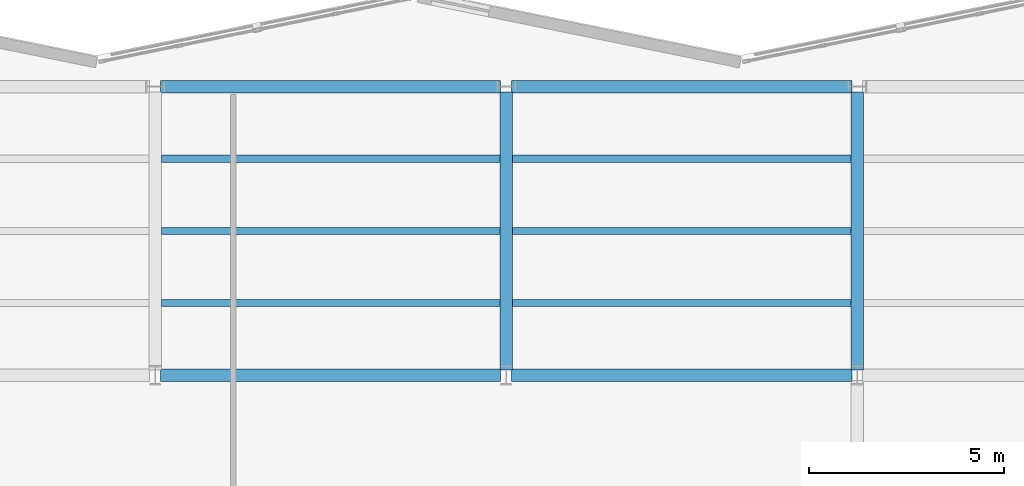
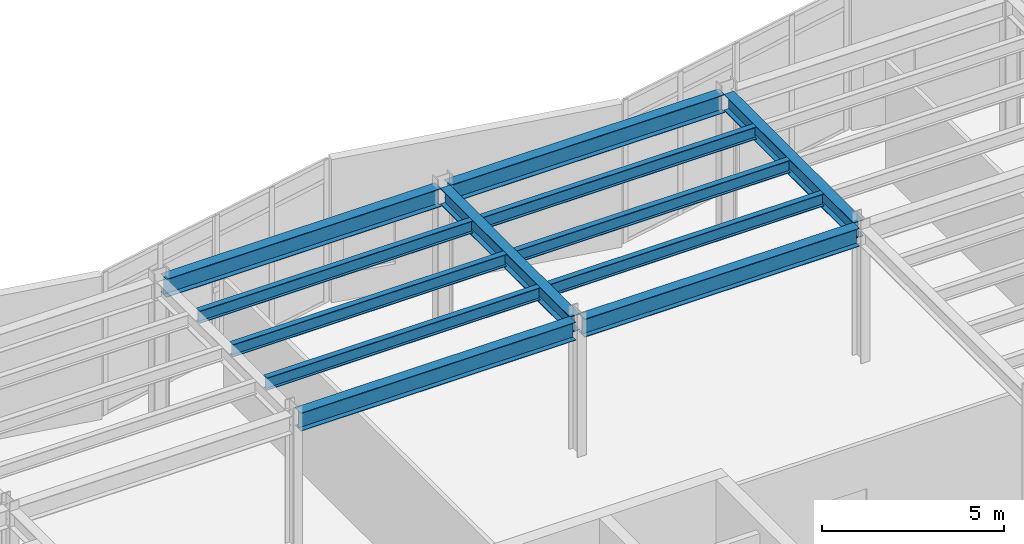
# One storey, part 43 of 91: 12 beams.
"""IFC4 building model written with IfcOpenShell, lengths in metres."""

import ifcopenshell
import ifcopenshell.guid

model = None  # the IFC model being written
_history = None  # IfcOwnerHistory: only IFC2X3 demands one
_inside = {}  # id of a spatial element -> (the spatial element, [elements in it])
_under = {}  # id of a project, library or spatial element -> (it, [spatial elements below it])
_declared = {}  # id of a project -> (the project, [libraries it declares])
_typed = {}  # id of a type object -> (the type object, [elements of that type])
_made_of = {}  # id of a material, layer set ... -> (it, [elements and type objects made of it])


def new_model(schema):
    """Start an empty IFC model of exactly this schema.

    Asked for "IFC4X3", IfcOpenShell would pick the latest addendum, in which some entities
    have other attributes; the version numbers below select the first issue.
    IFC2X3 requires an IfcOwnerHistory on every rooted entity: one is made here for all.
    """
    global model, _history
    if schema == "IFC4X3":
        model = ifcopenshell.file(schema_version=(4, 3, 0, 0))
    else:
        model = ifcopenshell.file(schema=schema)
    _inside.clear()
    _under.clear()
    _declared.clear()
    _typed.clear()
    _made_of.clear()
    _history = None
    if model.schema == "IFC2X3":
        org = make("IfcOrganization", Name="unknown")
        user = make(
            "IfcPersonAndOrganization",
            ThePerson=make("IfcPerson", FamilyName="unknown"),
            TheOrganization=org,
        )
        app = make(
            "IfcApplication",
            ApplicationDeveloper=org,
            Version="unknown",
            ApplicationFullName="unknown",
            ApplicationIdentifier="unknown",
        )
        _history = make(
            "IfcOwnerHistory",
            OwningUser=user,
            OwningApplication=app,
            ChangeAction="ADDED",
            CreationDate=0,
        )
    return model


def make(cls, **values):
    """One entity of the class cls with the attributes given. An attribute that is None is left unset."""
    return model.create_entity(
        cls, **{name: value for name, value in values.items() if value is not None}
    )


def rooted(cls, **values):
    """An entity with a GlobalId (a new one), such as an element, a storey or a relation."""
    return make(cls, GlobalId=ifcopenshell.guid.new(), OwnerHistory=_history, **values)


def si_unit(unit_type, name, prefix=None):
    """IfcSIUnit, for example si_unit("LENGTHUNIT", "METRE", prefix="MILLI")."""
    return make("IfcSIUnit", UnitType=unit_type, Prefix=prefix, Name=name)


def assignment(units):
    """IfcUnitAssignment: the units of a project."""
    return None if units is None else make("IfcUnitAssignment", Units=units)


def point(xyz):
    """IfcCartesianPoint."""
    return None if xyz is None else make("IfcCartesianPoint", Coordinates=xyz)


def direction(xyz):
    """IfcDirection."""
    return None if xyz is None else make("IfcDirection", DirectionRatios=xyz)


def frame(location, z_axis=None, x_axis=None):
    """IfcAxis2Placement3D, a coordinate frame: its origin and axes. An axis left out is left unset."""
    return make(
        "IfcAxis2Placement3D",
        Location=point(location),
        Axis=direction(z_axis),
        RefDirection=direction(x_axis),
    )


def frame_2d(location, x_axis=None):
    """IfcAxis2Placement2D, a coordinate frame in the plane: its origin and x axis."""
    return make(
        "IfcAxis2Placement2D", Location=point(location), RefDirection=direction(x_axis)
    )


def origin():
    """The frame at (0, 0, 0) with its axes left unset."""
    return frame((0.0, 0.0, 0.0))


def origin_2d():
    """The frame at (0, 0) in the plane with its x axis left unset."""
    return frame_2d((0.0, 0.0))


def place(relative_to, where):
    """IfcLocalPlacement: puts the frame where relative to a parent placement (None: the world)."""
    return make(
        "IfcLocalPlacement", PlacementRelTo=relative_to, RelativePlacement=where
    )


def context(
    kind, dimensions, precision=None, world=None, true_north=None, identifier=None
):
    """IfcGeometricRepresentationContext, for example the 3D "Model" context."""
    return make(
        "IfcGeometricRepresentationContext",
        ContextIdentifier=identifier,
        ContextType=kind,
        CoordinateSpaceDimension=dimensions,
        Precision=precision,
        WorldCoordinateSystem=world,
        TrueNorth=true_north,
    )


def subcontext(parent, identifier, kind, view, scale=None):
    """IfcGeometricRepresentationSubContext, for example "Body" below "Model"."""
    return make(
        "IfcGeometricRepresentationSubContext",
        ContextIdentifier=identifier,
        ContextType=kind,
        ParentContext=parent,
        TargetScale=scale,
        TargetView=view,
    )


def project(units=None, contexts=None):
    """IfcProject with its units and contexts."""
    return rooted(
        "IfcProject",
        Name="project",
        RepresentationContexts=contexts,
        UnitsInContext=assignment(units),
    )


def spatial(cls, under=None, at=None, **own):
    """A site, building, storey or space (cls), placed at a placement, below another one or the project."""
    s = rooted(cls, ObjectPlacement=at, **own)
    if under is not None:
        _under.setdefault(under.id(), (under, []))[1].append(s)
    return s


def profile(cls, at=None, kind="AREA", **sizes):
    """A parametric profile (cls). Its sizes go by their IFC names, for example OverallWidth=200.0."""
    return make(cls, ProfileType=kind, Position=at, **sizes)


def i_section(**sizes):
    """IfcIShapeProfileDef."""
    return profile("IfcIShapeProfileDef", **sizes)


def extrude(swept, where, along, depth):
    """IfcExtrudedAreaSolid: the profile swept, set in the frame where, extruded along a direction by depth."""
    return make(
        "IfcExtrudedAreaSolid",
        SweptArea=swept,
        Position=where,
        ExtrudedDirection=direction(along),
        Depth=depth,
    )


def shape(context_of_items, identifier, shape_type, items):
    """IfcShapeRepresentation: the items that make up one representation, for example the "Body"."""
    return make(
        "IfcShapeRepresentation",
        ContextOfItems=context_of_items,
        RepresentationIdentifier=identifier,
        RepresentationType=shape_type,
        Items=items,
    )


def material(Name=None, Category=None):
    """IfcMaterial."""
    return make("IfcMaterial", Name=Name, Category=Category)


def material_profile(
    of_material, cross_section, Name=None, Category=None, Priority=None
):
    """IfcMaterialProfile: a cross section and its material."""
    return make(
        "IfcMaterialProfile",
        Name=Name,
        Material=of_material,
        Profile=cross_section,
        Priority=Priority,
        Category=Category,
    )


def profile_set(profiles, Name=None, composite=None):
    """IfcMaterialProfileSet."""
    return make(
        "IfcMaterialProfileSet",
        Name=Name,
        MaterialProfiles=profiles,
        CompositeProfile=composite,
    )


def made_of(thing, what):
    """Note that an element or type object is made of a material, layer set ...; save() writes the relation."""
    if what is not None:
        _made_of.setdefault(what.id(), (what, []))[1].append(thing)
    return thing


def type_object(cls, material=None, **own):
    """A type object (cls), such as IfcWallType, which elements share."""
    return made_of(rooted(cls, **own), material)


def element(
    cls,
    number,
    at=None,
    inside=None,
    cuts=None,
    type_object=None,
    material=None,
    context=None,
    identifier="Body",
    shape_type=None,
    held_by="IfcProductDefinitionShape",
    body=None,
    shapes=None,
    **own,
):
    """One element of the class cls, such as IfcWall. Its Tag is "e" and its number.

    at: its placement. inside: the storey or other place that contains it. cuts: it is an
    opening in that element (IfcRelVoidsElement). A single representation is given by context,
    identifier, shape_type and body (its items); several are given by shapes. held_by: the class
    of the entity that holds the representations. save() writes the other relations.
    """
    e = rooted(cls, Tag="e%d" % number, ObjectPlacement=at, **own)
    if body is not None:
        shapes = [shape(context, identifier, shape_type, body)]
    if shapes is not None:
        e.Representation = make(held_by, Representations=shapes)
    if inside is not None:
        _inside.setdefault(inside.id(), (inside, []))[1].append(e)
    if cuts is not None:
        rooted(
            "IfcRelVoidsElement", RelatingBuildingElement=cuts, RelatedOpeningElement=e
        )
    if type_object is not None:
        _typed.setdefault(type_object.id(), (type_object, []))[1].append(e)
    return made_of(e, material)


def aggregate(whole, parts):
    """IfcRelAggregates: a whole, such as a stair, and the parts it consists of."""
    return rooted("IfcRelAggregates", RelatingObject=whole, RelatedObjects=parts)


def save(model, path):
    """Write the relations noted so far, then the file.

    IfcRelAggregates (storeys below a building ...), IfcRelContainedInSpatialStructure (elements
    in a storey), IfcRelDefinesByType, IfcRelAssociatesMaterial and IfcRelDeclares: one each for
    every whole, place, type object, material and project.
    """
    for whole, parts in _under.values():
        aggregate(whole, parts)
    for where, things in _inside.values():
        rooted(
            "IfcRelContainedInSpatialStructure",
            RelatedElements=things,
            RelatingStructure=where,
        )
    for kind, things in _typed.values():
        rooted("IfcRelDefinesByType", RelatedObjects=things, RelatingType=kind)
    for what, things in _made_of.values():
        rooted("IfcRelAssociatesMaterial", RelatedObjects=things, RelatingMaterial=what)
    for by, libraries in _declared.values():
        rooted("IfcRelDeclares", RelatingContext=by, RelatedDefinitions=libraries)
    model.write(path)


model = new_model("IFC4")

# Units and contexts
model_context = context("Model", 3, precision=1e-05, world=origin(), true_north=direction((0.0, 1.0)))
body_context = subcontext(model_context, "Body", "Model", "MODEL_VIEW")
ifc_project = project(units=[si_unit("LENGTHUNIT", "METRE"), si_unit("AREAUNIT", "SQUARE_METRE"), si_unit("VOLUMEUNIT", "CUBIC_METRE"), si_unit("PLANEANGLEUNIT", "RADIAN"), si_unit("MASSUNIT", "GRAM", prefix="KILO")], contexts=[model_context])

# Site, building, storey
site_placement = place(None, origin())
site = spatial("IfcSite", under=ifc_project, at=site_placement, CompositionType="ELEMENT")
building_placement = place(site_placement, origin())
building = spatial("IfcBuilding", under=site, at=building_placement, Name="Sollismere Congress Hotel", CompositionType="ELEMENT")
storey_placement = place(building_placement, frame((0.0, 0.0, 10.800048828125)))
storey = spatial("IfcBuildingStorey", under=building, at=storey_placement, Name="L02", CompositionType="ELEMENT", Elevation=10.800048828125)

# Beams
ifc_material = material(Name="Steel ASTM A992 Grade 50", Category="steel")
ifc_material_profile_1 = material_profile(ifc_material, i_section(OverallWidth=0.31494140625, OverallDepth=0.551025390625, WebThickness=0.01513671875, FlangeThickness=0.0244140625, at=origin_2d()), Name="W21X122")
ifc_profile_set_1 = profile_set([ifc_material_profile_1], Name="Steel ASTM A992 Grade 50")
beam_type_1 = type_object("IfcBeamType", Name="BM-G21H", PredefinedType="BEAM", material=ifc_profile_set_1)
for number, where, z_axis, x_axis, name in (
    (1, (85.0, 95.139892578125, 4.224365234375), (0.0, 1.0, 0.0), (-1.0, 0.0, 0.0), "Beam BM-L02-2100"),
    (2, (94.0, 95.139892578125, 4.224365234375), (0.0, 1.0, 0.0), (-1.0, 0.0, 0.0), "Beam BM-L02-2105"),
):
    element("IfcBeam", number, at=place(storey_placement, frame(where, z_axis=z_axis, x_axis=x_axis)), inside=storey, type_object=beam_type_1, Name=name, PredefinedType="BEAM", context=body_context, shape_type="SweptSolid", body=[
        extrude(i_section(OverallWidth=0.31494140625, OverallDepth=0.551025390625, WebThickness=0.01513671875, FlangeThickness=0.0244140625, at=origin_2d()), origin(), (0.0, 0.0, 1.0), 7.1201171875),
    ])
ifc_material_profile_2 = material_profile(ifc_material, i_section(OverallWidth=0.324951171875, OverallDepth=0.612060546875, WebThickness=0.0126953125, FlangeThickness=0.01904296875, at=origin_2d()), Name="W24X104")
ifc_profile_set_2 = profile_set([ifc_material_profile_2], Name="Steel ASTM A992 Grade 50")
beam_type_2 = type_object("IfcBeamType", Name="BM-G24", PredefinedType="BEAM", material=ifc_profile_set_2)
for number, where, z_axis, x_axis, name in (
    (3, (76.139892578125, 95.0, 4.19384765625), (1.0, 0.0, 0.0), (0.0, 1.0, 0.0), "Beam BM-L02-2043"),
    (4, (85.139892578125, 95.0, 4.19384765625), (1.0, 0.0, 0.0), (0.0, 1.0, 0.0), "Beam BM-L02-2044"),
    (5, (76.139892578125, 102.39990234375, 4.19384765625), (1.0, 0.0, 0.0), (0.0, 1.0, 0.0), "Beam BM-L02-2050"),
    (6, (85.139892578125, 102.39990234375, 4.19384765625), (1.0, 0.0, 0.0), (0.0, 1.0, 0.0), "Beam BM-L02-2051"),
):
    element("IfcBeam", number, at=place(storey_placement, frame(where, z_axis=z_axis, x_axis=x_axis)), inside=storey, type_object=beam_type_2, Name=name, PredefinedType="BEAM", context=body_context, shape_type="SweptSolid", body=[
        extrude(i_section(OverallWidth=0.324951171875, OverallDepth=0.612060546875, WebThickness=0.0126953125, FlangeThickness=0.01904296875, at=origin_2d()), origin(), (0.0, 0.0, 1.0), 8.72021484375),
    ])
ifc_material_profile_3 = material_profile(ifc_material, i_section(OverallWidth=0.180908203125, OverallDepth=0.4169921875, WebThickness=0.010986328125, FlangeThickness=0.018310546875, at=origin_2d()), Name="W16X57")
ifc_profile_set_3 = profile_set([ifc_material_profile_3], Name="Steel ASTM A992 Grade 50")
beam_type_3 = type_object("IfcBeamType", Name="BM-J16", PredefinedType="JOIST", material=ifc_profile_set_3)
for number, where, z_axis, x_axis, name in (
    (7, (76.157470703125, 96.85009765625, 4.29150390625), (1.0, 0.0, 0.0), (0.0, 1.0, 0.0), "Beam BM-L02-2228"),
    (8, (76.157470703125, 98.699951171875, 4.29150390625), (1.0, 0.0, 0.0), (0.0, 1.0, 0.0), "Beam BM-L02-2229"),
    (9, (76.157470703125, 100.550048828125, 4.29150390625), (1.0, 0.0, 0.0), (0.0, 1.0, 0.0), "Beam BM-L02-2230"),
    (10, (85.157470703125, 96.85009765625, 4.29150390625), (1.0, 0.0, 0.0), (0.0, 1.0, 0.0), "Beam BM-L02-2235"),
    (11, (85.157470703125, 98.699951171875, 4.29150390625), (1.0, 0.0, 0.0), (0.0, 1.0, 0.0), "Beam BM-L02-2236"),
    (12, (85.157470703125, 100.550048828125, 4.29150390625), (1.0, 0.0, 0.0), (0.0, 1.0, 0.0), "Beam BM-L02-2237"),
):
    element("IfcBeam", number, at=place(storey_placement, frame(where, z_axis=z_axis, x_axis=x_axis)), inside=storey, type_object=beam_type_3, Name=name, PredefinedType="JOIST", context=body_context, shape_type="SweptSolid", body=[
        extrude(i_section(OverallWidth=0.180908203125, OverallDepth=0.4169921875, WebThickness=0.010986328125, FlangeThickness=0.018310546875, at=origin_2d()), origin(), (0.0, 0.0, 1.0), 8.68505859375),
    ])

save(model, "model.ifc")
